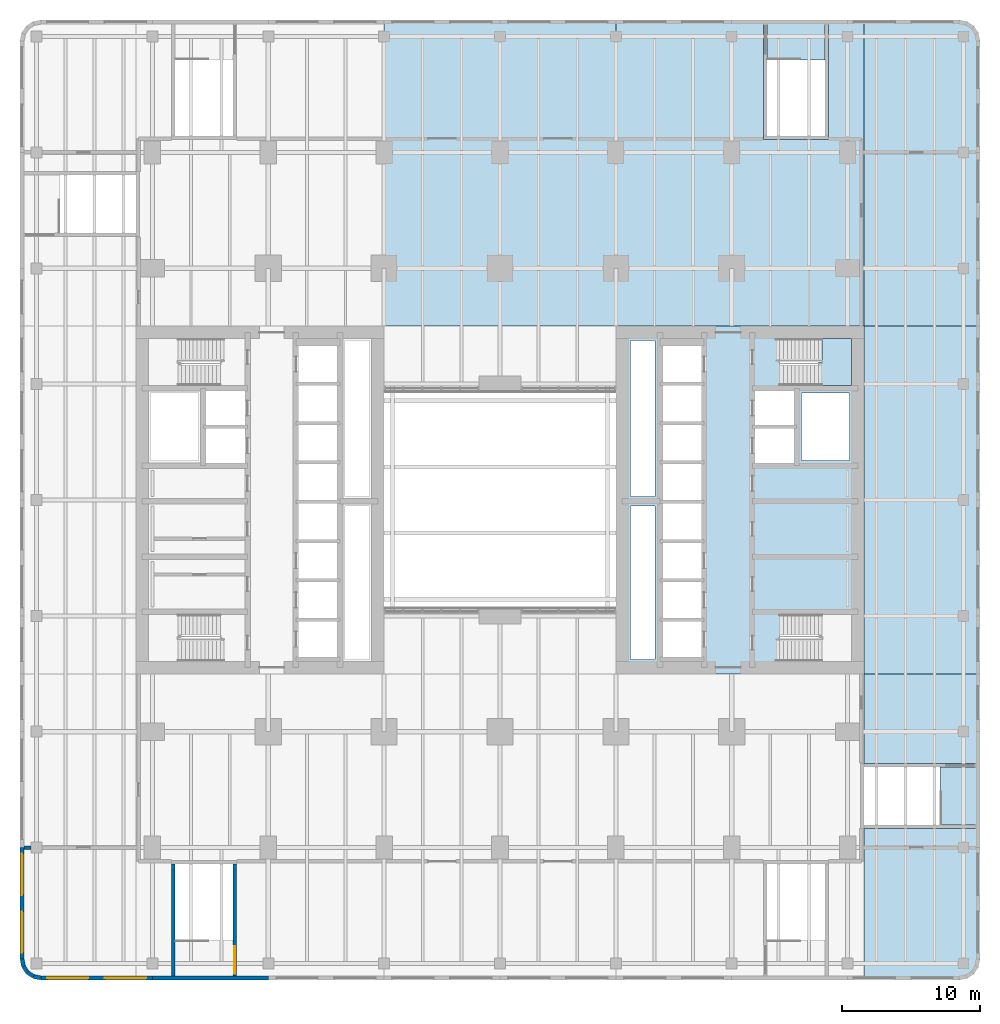
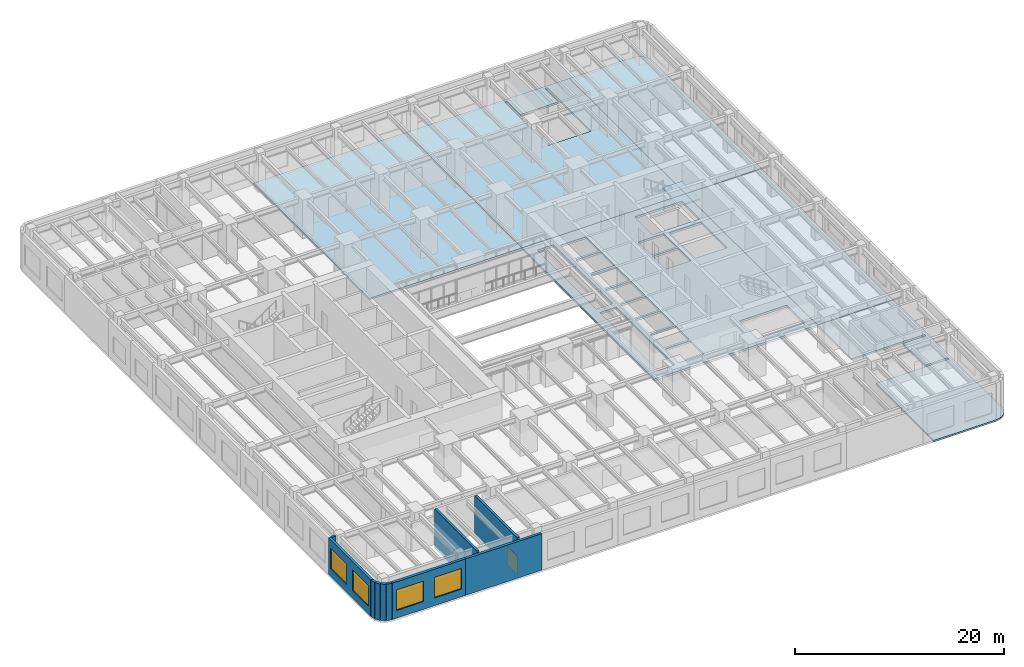
# One storey, part 8 of 22: 10 walls, 7 slabs, 4 windows, 1 door, 5 openings, 1 element without a shape of its own.
"""IFC4 building model written with IfcOpenShell, lengths in metres."""

from ifc_helpers import new_model, si_unit, direction, frame, frame_2d, origin, place, context, subcontext, project, spatial, polyline, rectangle, outline, extrude, material, layer, layer_set, type_object, element, fill, aggregate, save


model = new_model("IFC4")

# Units and contexts
model_context = context("Model", 3, precision=1e-05, world=origin(), true_north=direction((0.0, 1.0)))
body_context = subcontext(model_context, "Body", "Model", "MODEL_VIEW")
ifc_project = project(units=[si_unit("LENGTHUNIT", "METRE"), si_unit("AREAUNIT", "SQUARE_METRE"), si_unit("VOLUMEUNIT", "CUBIC_METRE"), si_unit("PLANEANGLEUNIT", "RADIAN"), si_unit("MASSUNIT", "GRAM", prefix="KILO")], contexts=[model_context])

# Site, building, storey
site_placement = place(None, origin())
site = spatial("IfcSite", under=ifc_project, at=site_placement, CompositionType="ELEMENT")
building_placement = place(site_placement, origin())
building = spatial("IfcBuilding", under=site, at=building_placement, Name="Claustro Exchange Tower", CompositionType="ELEMENT")
storey_placement = place(building_placement, frame((0.0, 0.0, 14.39990234375)))
storey = spatial("IfcBuildingStorey", under=building, at=storey_placement, Name="L03", CompositionType="ELEMENT", Elevation=14.39990234375)

# Slabs
ifc_material_1 = material(Name="Concrete HA-50 (C50/60)", Category="concrete")
ifc_layer_1 = layer(ifc_material_1, 0.199951171875)
ifc_layer_set_1 = layer_set([ifc_layer_1], Name="Concrete HA-50 (C50/60)")
slab_type_1 = type_object("IfcSlabType", Name="S3 200 plant floor slab", PredefinedType="FLOOR", material=ifc_layer_set_1)
slab_1_placement = place(storey_placement, frame((0.0, 0.0, -0.199951171875)))
element("IfcSlab", 1, at=slab_1_placement, inside=storey, type_object=slab_type_1, Name="Floor slab S3 S L03", PredefinedType="FLOOR", context=body_context, shape_type="SweptSolid", body=[
    extrude(outline(polyline([(60.0, -8.10009765625), (60.0, 12.60009765625), (51.60009765625, 12.60009765625), (51.60009765625, 6.10009765625), (59.679931640625, 6.10009765625), (59.679931640625, 5.85009765625), (57.094970703125, 5.85009765625), (57.094970703125, 3.75), (57.10009765625, 3.75), (57.10009765625, 1.64990234375), (59.679931640625, 1.64990234375), (59.679931640625, 1.39990234375), (51.60009765625, 1.39990234375), (51.60009765625, -9.60009765625), (58.5, -9.60009765625), (59.073974609375, -9.48583984375), (59.560791015625, -9.16064453125), (59.8857421875, -8.674072265625), (60.0, -8.10009765625)])), origin(), (0.0, 0.0, 1.0), 0.199951171875),
])
slab_2_placement = place(storey_placement, frame((0.0, 0.0, -0.199951171875)))
element("IfcSlab", 2, at=slab_2_placement, inside=storey, type_object=slab_type_1, Name="Floor slab S3 E L03", PredefinedType="FLOOR", context=body_context, shape_type="SweptSolid", body=[
    extrude(outline(polyline([(60.0, 12.60009765625), (60.0, 37.800048828125), (51.60009765625, 37.800048828125), (51.60009765625, 12.60009765625), (60.0, 12.60009765625)])), origin(), (0.0, 0.0, 1.0), 0.199951171875),
])
slab_3_placement = place(storey_placement, frame((0.0, 0.0, -0.199951171875)))
element("IfcSlab", 3, at=slab_3_placement, inside=storey, type_object=slab_type_1, Name="Floor slab S3 N L03", PredefinedType="FLOOR", context=body_context, shape_type="SweptSolid", body=[
    extrude(outline(polyline([(51.60009765625, 60.0), (33.60009765625, 60.0), (33.60009765625, 37.800048828125), (51.60009765625, 37.800048828125), (51.60009765625, 60.0)]), holes=[polyline([(48.75, 59.679931640625), (49.0, 59.679931640625), (49.0, 51.60009765625), (49.0, 51.35009765625), (44.300048828125, 51.35009765625), (44.300048828125, 51.60009765625), (44.300048828125, 59.679931640625), (44.550048828125, 59.679931640625), (44.550048828125, 57.10009765625), (46.64990234375, 57.10009765625), (46.64990234375, 57.094970703125), (48.75, 57.094970703125), (48.75, 59.679931640625)])]), origin(), (0.0, 0.0, 1.0), 0.199951171875),
])
slab_4_placement = place(storey_placement, frame((0.0, 0.0, -0.199951171875)))
element("IfcSlab", 4, at=slab_4_placement, inside=storey, type_object=slab_type_1, Name="Floor slab S3 N L03", PredefinedType="FLOOR", context=body_context, shape_type="SweptSolid", body=[
    extrude(outline(polyline([(58.5, 60.0), (51.60009765625, 60.0), (51.60009765625, 37.800048828125), (60.0, 37.800048828125), (60.0, 58.5), (59.8857421875, 59.073974609375), (59.560791015625, 59.560791015625), (59.073974609375, 59.8857421875), (58.5, 60.0)])), origin(), (0.0, 0.0, 1.0), 0.199951171875),
])
slab_5_placement = place(storey_placement, frame((0.0, 0.0, -0.199951171875)))
element("IfcSlab", 5, at=slab_5_placement, inside=storey, type_object=slab_type_1, Name="Floor slab S3 N L03", PredefinedType="FLOOR", context=body_context, shape_type="SweptSolid", body=[
    extrude(outline(polyline([(33.60009765625, 60.0), (16.800048828125, 60.0), (16.800048828125, 37.800048828125), (33.60009765625, 37.800048828125), (33.60009765625, 60.0)])), origin(), (0.0, 0.0, 1.0), 0.199951171875),
])
ifc_material_2 = material(Name="Concrete HA-50 (C50/60)", Category="concrete")
ifc_layer_2 = layer(ifc_material_2, 0.25)
ifc_layer_set_2 = layer_set([ifc_layer_2], Name="Concrete HA-50 (C50/60)")
slab_type_2 = type_object("IfcSlabType", Name="S7 250 core floor slab", PredefinedType="FLOOR", material=ifc_layer_set_2)
slab_6_placement = place(storey_placement, frame((0.0, 0.0, -0.25)))
element("IfcSlab", 6, at=slab_6_placement, inside=storey, type_object=slab_type_2, Name="Core floor slab S7 E core L03", PredefinedType="FLOOR", context=body_context, shape_type="SweptSolid", body=[
    extrude(outline(polyline([(33.60009765625, 12.60009765625), (51.60009765625, 12.60009765625), (51.60009765625, 37.800048828125), (33.60009765625, 37.800048828125), (33.60009765625, 12.60009765625)]), holes=[polyline([(45.47998046875, 35.199951171875), (45.47998046875, 36.89990234375), (50.699951171875, 36.89990234375), (50.699951171875, 35.199951171875), (50.699951171875, 33.5), (45.485107421875, 33.5), (45.485107421875, 35.199951171875), (45.47998046875, 35.199951171875)]), polyline([(45.485107421875, 15.199951171875), (45.485107421875, 16.89990234375), (50.699951171875, 16.89990234375), (50.699951171875, 15.199951171875), (50.699951171875, 13.5), (45.47998046875, 13.5), (45.47998046875, 15.199951171875), (45.485107421875, 15.199951171875)]), polyline([(50.550048828125, 32.949951171875), (50.550048828125, 28.050048828125), (47.050048828125, 28.050048828125), (47.050048828125, 32.949951171875), (50.550048828125, 32.949951171875)]), polyline([(46.5, 30.375), (46.5, 27.89990234375), (43.699951171875, 27.89990234375), (43.699951171875, 30.375), (46.5, 30.375)]), polyline([(46.5, 33.10009765625), (46.5, 30.625), (43.699951171875, 30.625), (43.699951171875, 33.10009765625), (46.5, 33.10009765625)]), polyline([(37.0, 16.39990234375), (39.800048828125, 16.39990234375), (39.800048828125, 13.800048828125), (37.0, 13.800048828125), (37.0, 16.39990234375)]), polyline([(39.800048828125, 19.25), (39.800048828125, 16.64990234375), (37.0, 16.64990234375), (37.0, 19.25), (39.800048828125, 19.25)]), polyline([(39.800048828125, 22.10009765625), (39.800048828125, 19.5), (37.0, 19.5), (37.0, 22.10009765625), (39.800048828125, 22.10009765625)]), polyline([(39.800048828125, 24.949951171875), (39.800048828125, 22.35009765625), (37.0, 22.35009765625), (37.0, 24.949951171875), (39.800048828125, 24.949951171875)]), polyline([(39.800048828125, 27.800048828125), (39.800048828125, 25.199951171875), (37.0, 25.199951171875), (37.0, 27.800048828125), (39.800048828125, 27.800048828125)]), polyline([(39.800048828125, 30.64990234375), (39.800048828125, 28.050048828125), (37.0, 28.050048828125), (37.0, 30.64990234375), (39.800048828125, 30.64990234375)]), polyline([(39.800048828125, 33.5), (39.800048828125, 30.89990234375), (37.0, 30.89990234375), (37.0, 33.5), (39.800048828125, 33.5)]), polyline([(39.800048828125, 36.35009765625), (39.800048828125, 33.75), (37.0, 33.75), (37.0, 36.35009765625), (39.800048828125, 36.35009765625)]), polyline([(36.449951171875, 24.75), (36.449951171875, 13.64990234375), (34.64990234375, 13.64990234375), (34.64990234375, 24.75), (36.449951171875, 24.75)]), polyline([(36.449951171875, 36.75), (36.449951171875, 25.449951171875), (34.64990234375, 25.449951171875), (34.64990234375, 36.75), (36.449951171875, 36.75)])]), origin(), (0.0, 0.0, 1.0), 0.25),
])

# Stair, slab
ifc_material_3 = material(Name="Concrete HA-30 (C30/37), precast", Category="concrete")
stair_type = type_object("IfcStairType", Name="ST2 half-turn stair, 25 risers of 180", PredefinedType="HALF_TURN_STAIR", material=ifc_material_3)
stair_placement = place(storey_placement, origin())
stair = element("IfcStair", 7, at=stair_placement, inside=storey, type_object=stair_type, Name="Stair STEB L03", PredefinedType="HALF_TURN_STAIR")
ifc_material_4 = material(Name="Concrete HA-30 (C30/37), precast", Category="concrete")
ifc_layer_3 = layer(ifc_material_4, 0.199951171875)
ifc_layer_set_3 = layer_set([ifc_layer_3], Name="Concrete HA-30 (C30/37), precast")
slab_type_3 = type_object("IfcSlabType", Name="S9 200 stair landing", PredefinedType="LANDING", material=ifc_layer_set_3)
slab_7_placement = place(storey_placement, frame((0.0, 0.0, 2.14013671875)))
slab_7 = element("IfcSlab", 8, at=slab_7_placement, type_object=slab_type_3, Name="STEB landing 1", PredefinedType="LANDING", context=body_context, shape_type="SweptSolid", body=[
    extrude(outline(polyline([(48.280029296875, 33.5), (48.280029296875, 35.199951171875), (48.554931640625, 35.199951171875), (48.554931640625, 36.89990234375), (50.699951171875, 36.89990234375), (50.699951171875, 33.5), (48.56005859375, 33.5), (48.554931640625, 33.5), (48.280029296875, 33.5)])), origin(), (0.0, 0.0, 1.0), 0.199951171875),
])
aggregate(stair, [slab_7])

# Walls
ifc_material_5 = material(Name="Concrete blockwork, rendered", Category="masonry")
ifc_layer_4 = layer(ifc_material_5, 0.25)
ifc_layer_set_4 = layer_set([ifc_layer_4], Name="Concrete blockwork, rendered")
wall_type_1 = type_object("IfcWallType", Name="P4 250 blockwork wall", PredefinedType="PARTITIONING", material=ifc_layer_set_4)
wall_1_placement = place(storey_placement, frame((-9.300048828125, 0.0, 0.0), z_axis=(0.0, 0.0, 1.0), x_axis=(1.0, 0.0, 0.0)))
element("IfcWall", 9, at=wall_1_placement, inside=storey, type_object=wall_type_1, Name="Partition P4 L03", PredefinedType="PARTITIONING", context=body_context, shape_type="SweptSolid", body=[
    extrude(rectangle(XDim=0.5009765625, YDim=0.25, at=frame_2d((0.25048828125, 0.0))), origin(), (0.0, 0.0, 1.0), 4.25),
])
ifc_material_6 = material(Name="Concrete HA-40 (C40/50), precast, white cement, acid-etched", Category="concrete")
ifc_layer_5 = layer(ifc_material_6, 0.300048828125)
ifc_layer_set_5 = layer_set([ifc_layer_5], Name="Concrete HA-40 (C40/50), precast, white cement, acid-etched")
wall_type_2 = type_object("IfcWallType", Name="PC1 300 precast concrete pier panel", PredefinedType="SOLIDWALL", material=ifc_layer_set_5)
wall_2_placement = place(storey_placement, frame((8.39990234375, -9.449951171875, 0.0), z_axis=(0.0, 0.0, 1.0), x_axis=(-1.0, 0.0, 0.0)))
element("IfcWall", 10, at=wall_2_placement, inside=storey, type_object=wall_type_2, Name="Precast pier panel PC1 L03", PredefinedType="SOLIDWALL", context=body_context, shape_type="SweptSolid", body=[
    extrude(rectangle(XDim=8.39990234375, YDim=0.300048828125, at=frame_2d((4.199951171875, 0.0))), origin(), (0.0, 0.0, 1.0), 4.25),
])

# Wall, openings, windows
wall_3_placement = place(storey_placement, frame((0.0, -9.449951171875, 0.0), z_axis=(0.0, 0.0, 1.0), x_axis=(-1.0, 0.0, 0.0)))
wall_3 = element("IfcWall", 11, at=wall_3_placement, inside=storey, type_object=wall_type_2, Name="Precast pier panel PC1 L03", PredefinedType="SOLIDWALL", context=body_context, shape_type="SweptSolid", body=[
    extrude(rectangle(XDim=8.085205078125, YDim=0.300048828125, at=frame_2d((4.04248046875, 0.0))), origin(), (0.0, 0.0, 1.0), 4.25),
])
opening_1_placement = place(wall_3_placement, frame((0.442626953125, 0.0, 0.89990234375)))
opening_1 = element("IfcOpeningElement", 12, at=opening_1_placement, cuts=wall_3, Name="Opening W3", PredefinedType="OPENING", context=body_context, shape_type="SweptSolid", body=[
    extrude(rectangle(XDim=3.0, YDim=2.39990234375, at=frame_2d((1.5, 1.199951171875))), frame((0.0, 0.159912109375, 0.0), z_axis=(0.0, -1.0, 0.0), x_axis=(1.0, 0.0, 0.0)), (0.0, 0.0, 1.0), 0.320068359375),
])
opening_2_placement = place(wall_3_placement, frame((4.642578125, 0.0, 0.89990234375)))
opening_2 = element("IfcOpeningElement", 13, at=opening_2_placement, cuts=wall_3, Name="Opening W3", PredefinedType="OPENING", context=body_context, shape_type="SweptSolid", body=[
    extrude(rectangle(XDim=3.0, YDim=2.39990234375, at=frame_2d((1.5, 1.199951171875))), frame((0.0, 0.159912109375, 0.0), z_axis=(0.0, -1.0, 0.0), x_axis=(1.0, 0.0, 0.0)), (0.0, 0.0, 1.0), 0.320068359375),
])
ifc_material_7 = material(Name="Aluminium frame, clear double glazing", Category="aluminium")
window_type = type_object("IfcWindowType", Name="W3 3000 x 2400 window", PartitioningType="SINGLE_PANEL", PredefinedType="WINDOW", material=ifc_material_7)
window_1_placement = place(opening_1_placement, origin())
window_1 = element("IfcWindow", 14, at=window_1_placement, inside=storey, type_object=window_type, Name="Window W3 L03", OverallHeight=2.39990234375, OverallWidth=3.0, PartitioningType="SINGLE_PANEL", PredefinedType="WINDOW", context=body_context, shape_type="SweptSolid", body=[
    extrude(rectangle(XDim=3.0, YDim=2.39990234375, at=frame_2d((1.5, 1.199951171875))), frame((0.0, 0.030029296875, 0.0), z_axis=(0.0, -1.0, 0.0), x_axis=(1.0, 0.0, 0.0)), (0.0, 0.0, 1.0), 0.06005859375),
])
fill(opening_1, window_1)
window_2_placement = place(opening_2_placement, origin())
window_2 = element("IfcWindow", 15, at=window_2_placement, inside=storey, type_object=window_type, Name="Window W3 L03", OverallHeight=2.39990234375, OverallWidth=3.0, PartitioningType="SINGLE_PANEL", PredefinedType="WINDOW", context=body_context, shape_type="SweptSolid", body=[
    extrude(rectangle(XDim=3.0, YDim=2.39990234375, at=frame_2d((1.5, 1.199951171875))), frame((0.0, 0.030029296875, 0.0), z_axis=(0.0, -1.0, 0.0), x_axis=(1.0, 0.0, 0.0)), (0.0, 0.0, 1.0), 0.06005859375),
])
fill(opening_2, window_2)

# Walls
wall_4_placement = place(storey_placement, frame((-8.085205078125, -9.449951171875, 0.0), z_axis=(0.0, 0.0, 1.0), x_axis=(-0.980788534345, 0.195073962632, 0.0)))
element("IfcWall", 16, at=wall_4_placement, inside=storey, type_object=wall_type_2, Name="Precast pier panel PC1 L03", PredefinedType="SOLIDWALL", context=body_context, shape_type="SweptSolid", body=[
    extrude(rectangle(XDim=0.540771484375, YDim=0.300048828125, at=frame_2d((0.2705078125, 0.0))), origin(), (0.0, 0.0, 1.0), 4.25),
])
for number, where, z_axis, x_axis, name in (
    (17, (-8.615478515625, -9.344482421875, 0.0), (0.0, 0.0, 1.0), (-0.831478144188, 0.555557463938, 0.0), "Precast pier panel PC1 L03"),
    (18, (-9.052490234375, -9.052490234375, 0.0), (0.0, 0.0, 1.0), (-0.555557463938, 0.831478144188, 0.0), "Precast pier panel PC1 L03"),
):
    element("IfcWall", number, at=place(storey_placement, frame(where, z_axis=z_axis, x_axis=x_axis)), inside=storey, type_object=wall_type_2, Name=name, PredefinedType="SOLIDWALL", context=body_context, shape_type="SweptSolid", body=[
        extrude(rectangle(XDim=0.525634765625, YDim=0.300048828125, at=frame_2d((0.2626953125, 0.0))), origin(), (0.0, 0.0, 1.0), 4.25),
    ])
wall_5_placement = place(storey_placement, frame((-9.344482421875, -8.615478515625, 0.0), z_axis=(0.0, 0.0, 1.0), x_axis=(-0.195073962632, 0.980788534345, 0.0)))
element("IfcWall", 19, at=wall_5_placement, inside=storey, type_object=wall_type_2, Name="Precast pier panel PC1 L03", PredefinedType="SOLIDWALL", context=body_context, shape_type="SweptSolid", body=[
    extrude(rectangle(XDim=0.540771484375, YDim=0.300048828125, at=frame_2d((0.2705078125, 0.0))), origin(), (0.0, 0.0, 1.0), 4.25),
])

# Wall, openings, windows
wall_6_placement = place(storey_placement, frame((-9.449951171875, -8.085205078125, 0.0), z_axis=(0.0, 0.0, 1.0), x_axis=(0.0, 1.0, 0.0)))
wall_6 = element("IfcWall", 20, at=wall_6_placement, inside=storey, type_object=wall_type_2, Name="Precast pier panel PC1 L03", PredefinedType="SOLIDWALL", context=body_context, shape_type="SweptSolid", body=[
    extrude(rectangle(XDim=8.085205078125, YDim=0.300048828125, at=frame_2d((4.04248046875, 0.0))), origin(), (0.0, 0.0, 1.0), 4.25),
])
opening_3_placement = place(wall_6_placement, frame((0.442626953125, 0.0, 0.89990234375)))
opening_3 = element("IfcOpeningElement", 21, at=opening_3_placement, cuts=wall_6, Name="Opening W3", PredefinedType="OPENING", context=body_context, shape_type="SweptSolid", body=[
    extrude(rectangle(XDim=3.0, YDim=2.39990234375, at=frame_2d((1.5, 1.199951171875))), frame((0.0, 0.159912109375, 0.0), z_axis=(0.0, -1.0, 0.0), x_axis=(1.0, 0.0, 0.0)), (0.0, 0.0, 1.0), 0.320068359375),
])
opening_4_placement = place(wall_6_placement, frame((4.642578125, 0.0, 0.89990234375)))
opening_4 = element("IfcOpeningElement", 22, at=opening_4_placement, cuts=wall_6, Name="Opening W3", PredefinedType="OPENING", context=body_context, shape_type="SweptSolid", body=[
    extrude(rectangle(XDim=3.0, YDim=2.39990234375, at=frame_2d((1.5, 1.199951171875))), frame((0.0, 0.159912109375, 0.0), z_axis=(0.0, -1.0, 0.0), x_axis=(1.0, 0.0, 0.0)), (0.0, 0.0, 1.0), 0.320068359375),
])
window_3_placement = place(opening_3_placement, origin())
window_3 = element("IfcWindow", 23, at=window_3_placement, inside=storey, type_object=window_type, Name="Window W3 L03", OverallHeight=2.39990234375, OverallWidth=3.0, PartitioningType="SINGLE_PANEL", PredefinedType="WINDOW", context=body_context, shape_type="SweptSolid", body=[
    extrude(rectangle(XDim=3.0, YDim=2.39990234375, at=frame_2d((1.5, 1.199951171875))), frame((0.0, 0.030029296875, 0.0), z_axis=(0.0, -1.0, 0.0), x_axis=(1.0, 0.0, 0.0)), (0.0, 0.0, 1.0), 0.06005859375),
])
fill(opening_3, window_3)
window_4_placement = place(opening_4_placement, origin())
window_4 = element("IfcWindow", 24, at=window_4_placement, inside=storey, type_object=window_type, Name="Window W3 L03", OverallHeight=2.39990234375, OverallWidth=3.0, PartitioningType="SINGLE_PANEL", PredefinedType="WINDOW", context=body_context, shape_type="SweptSolid", body=[
    extrude(rectangle(XDim=3.0, YDim=2.39990234375, at=frame_2d((1.5, 1.199951171875))), frame((0.0, 0.030029296875, 0.0), z_axis=(0.0, -1.0, 0.0), x_axis=(1.0, 0.0, 0.0)), (0.0, 0.0, 1.0), 0.06005859375),
])
fill(opening_4, window_4)

# Wall
ifc_material_8 = material(Name="Concrete HA-40 (C40/50)", Category="concrete")
ifc_layer_6 = layer(ifc_material_8, 0.25)
ifc_layer_set_6 = layer_set([ifc_layer_6], Name="Concrete HA-40 (C40/50)")
wall_type_3 = type_object("IfcWallType", Name="SW7 250 reinforced concrete stair wall", PredefinedType="SOLIDWALL", material=ifc_layer_set_6)
wall_7_placement = place(storey_placement, frame((1.52490234375, -9.302001953125, 0.0), z_axis=(0.0, 0.0, 1.0), x_axis=(0.0, 1.0, 0.0)))
element("IfcWall", 25, at=wall_7_placement, inside=storey, type_object=wall_type_3, Name="Stair enclosure wall STP1 SW7 L03", PredefinedType="SOLIDWALL", context=body_context, shape_type="SweptSolid", body=[
    extrude(rectangle(XDim=8.10205078125, YDim=0.25, at=frame_2d((4.051025390625, 0.0))), origin(), (0.0, 0.0, 1.0), 4.5),
])

# Wall, opening, door
wall_8_placement = place(storey_placement, frame((5.97509765625, -9.302001953125, 0.0), z_axis=(0.0, 0.0, 1.0), x_axis=(0.0, 1.0, 0.0)))
wall_8 = element("IfcWall", 26, at=wall_8_placement, inside=storey, type_object=wall_type_3, Name="Stair enclosure wall STP1 SW7 L03", PredefinedType="SOLIDWALL", context=body_context, shape_type="SweptSolid", body=[
    extrude(rectangle(XDim=8.10205078125, YDim=0.25, at=frame_2d((4.051025390625, 0.0))), origin(), (0.0, 0.0, 1.0), 4.5),
])
opening_5_placement = place(wall_8_placement, frame((0.14990234375, 0.0, 0.0)))
opening_5 = element("IfcOpeningElement", 27, at=opening_5_placement, cuts=wall_8, Name="Opening D11", PredefinedType="OPENING", context=body_context, shape_type="SweptSolid", body=[
    extrude(rectangle(XDim=2.0, YDim=2.199951171875, at=frame_2d((1.0, 1.10009765625))), frame((0.0, 0.135009765625, 0.0), z_axis=(0.0, -1.0, 0.0), x_axis=(1.0, 0.0, 0.0)), (0.0, 0.0, 1.0), 0.27001953125),
])
ifc_material_9 = material(Name="Steel fire door, painted", Category="steel")
door_type = type_object("IfcDoorType", Name="D11 2000 x 2200 fire-rated stair double door", OperationType="DOUBLE_DOOR_SINGLE_SWING", PredefinedType="DOOR", material=ifc_material_9)
door_placement = place(opening_5_placement, origin())
door = element("IfcDoor", 28, at=door_placement, inside=storey, type_object=door_type, Name="Stair door STP1 D11 L03", OperationType="DOUBLE_DOOR_SINGLE_SWING", OverallHeight=2.199951171875, OverallWidth=2.0, PredefinedType="DOOR", context=body_context, shape_type="SweptSolid", body=[
    extrude(rectangle(XDim=2.0, YDim=2.199951171875, at=frame_2d((1.0, 1.10009765625))), frame((0.0, 0.02490234375, 0.0), z_axis=(0.0, -1.0, 0.0), x_axis=(1.0, 0.0, 0.0)), (0.0, 0.0, 1.0), 0.050048828125),
])
fill(opening_5, door)

save(model, "model.ifc")
